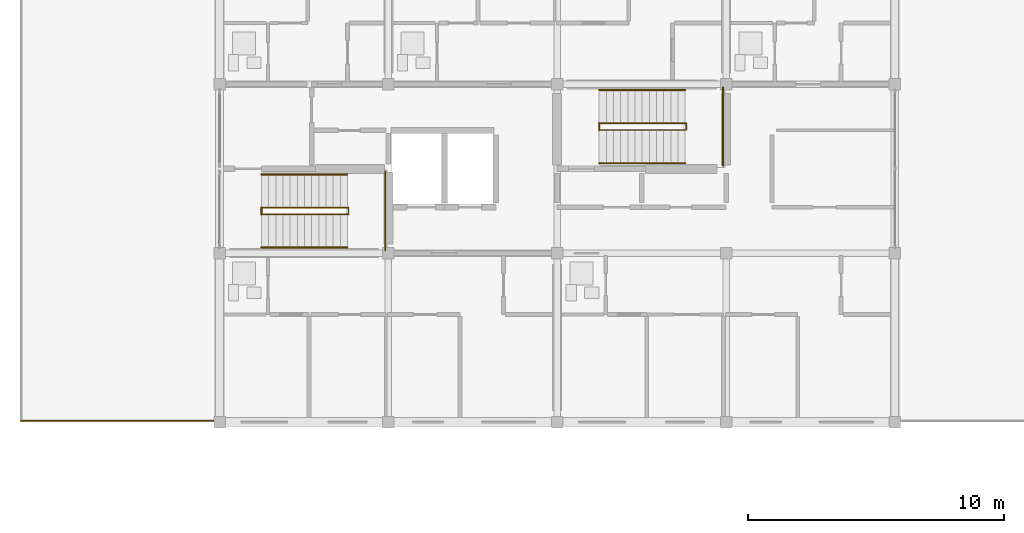
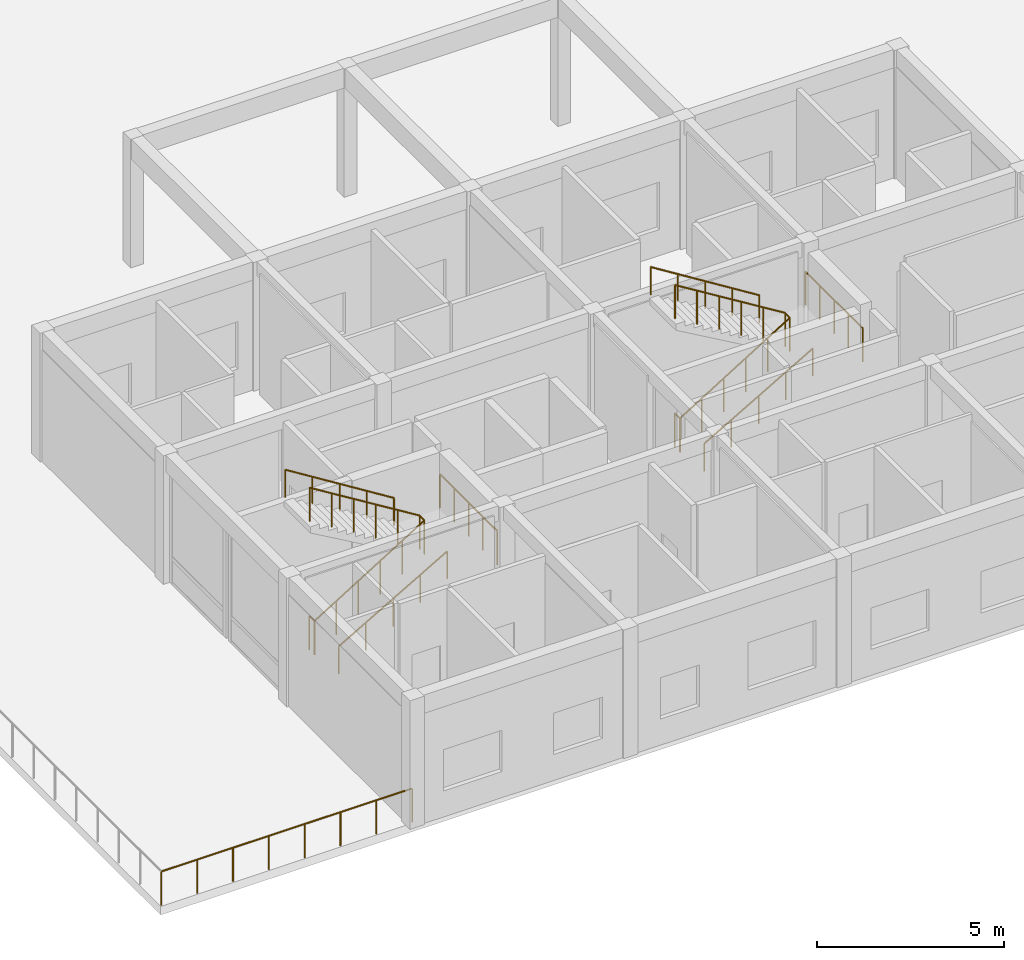
# One storey, part 81 of 92: 11 railings.
"""IFC4 building model written with IfcOpenShell, lengths in metres."""

import ifcopenshell
import ifcopenshell.guid

model = None  # the IFC model being written
_history = None  # IfcOwnerHistory: only IFC2X3 demands one
_inside = {}  # id of a spatial element -> (the spatial element, [elements in it])
_under = {}  # id of a project, library or spatial element -> (it, [spatial elements below it])
_declared = {}  # id of a project -> (the project, [libraries it declares])
_typed = {}  # id of a type object -> (the type object, [elements of that type])
_made_of = {}  # id of a material, layer set ... -> (it, [elements and type objects made of it])


def new_model(schema):
    """Start an empty IFC model of exactly this schema.

    Asked for "IFC4X3", IfcOpenShell would pick the latest addendum, in which some entities
    have other attributes; the version numbers below select the first issue.
    IFC2X3 requires an IfcOwnerHistory on every rooted entity: one is made here for all.
    """
    global model, _history
    if schema == "IFC4X3":
        model = ifcopenshell.file(schema_version=(4, 3, 0, 0))
    else:
        model = ifcopenshell.file(schema=schema)
    _inside.clear()
    _under.clear()
    _declared.clear()
    _typed.clear()
    _made_of.clear()
    _history = None
    if model.schema == "IFC2X3":
        org = make("IfcOrganization", Name="unknown")
        user = make(
            "IfcPersonAndOrganization",
            ThePerson=make("IfcPerson", FamilyName="unknown"),
            TheOrganization=org,
        )
        app = make(
            "IfcApplication",
            ApplicationDeveloper=org,
            Version="unknown",
            ApplicationFullName="unknown",
            ApplicationIdentifier="unknown",
        )
        _history = make(
            "IfcOwnerHistory",
            OwningUser=user,
            OwningApplication=app,
            ChangeAction="ADDED",
            CreationDate=0,
        )
    return model


def make(cls, **values):
    """One entity of the class cls with the attributes given. An attribute that is None is left unset."""
    return model.create_entity(
        cls, **{name: value for name, value in values.items() if value is not None}
    )


def rooted(cls, **values):
    """An entity with a GlobalId (a new one), such as an element, a storey or a relation."""
    return make(cls, GlobalId=ifcopenshell.guid.new(), OwnerHistory=_history, **values)


def si_unit(unit_type, name, prefix=None):
    """IfcSIUnit, for example si_unit("LENGTHUNIT", "METRE", prefix="MILLI")."""
    return make("IfcSIUnit", UnitType=unit_type, Prefix=prefix, Name=name)


def assignment(units):
    """IfcUnitAssignment: the units of a project."""
    return None if units is None else make("IfcUnitAssignment", Units=units)


def point(xyz):
    """IfcCartesianPoint."""
    return None if xyz is None else make("IfcCartesianPoint", Coordinates=xyz)


def direction(xyz):
    """IfcDirection."""
    return None if xyz is None else make("IfcDirection", DirectionRatios=xyz)


def frame(location, z_axis=None, x_axis=None):
    """IfcAxis2Placement3D, a coordinate frame: its origin and axes. An axis left out is left unset."""
    return make(
        "IfcAxis2Placement3D",
        Location=point(location),
        Axis=direction(z_axis),
        RefDirection=direction(x_axis),
    )


def frame_2d(location, x_axis=None):
    """IfcAxis2Placement2D, a coordinate frame in the plane: its origin and x axis."""
    return make(
        "IfcAxis2Placement2D", Location=point(location), RefDirection=direction(x_axis)
    )


def origin():
    """The frame at (0, 0, 0) with its axes left unset."""
    return frame((0.0, 0.0, 0.0))


def origin_2d():
    """The frame at (0, 0) in the plane with its x axis left unset."""
    return frame_2d((0.0, 0.0))


def place(relative_to, where):
    """IfcLocalPlacement: puts the frame where relative to a parent placement (None: the world)."""
    return make(
        "IfcLocalPlacement", PlacementRelTo=relative_to, RelativePlacement=where
    )


def context(
    kind, dimensions, precision=None, world=None, true_north=None, identifier=None
):
    """IfcGeometricRepresentationContext, for example the 3D "Model" context."""
    return make(
        "IfcGeometricRepresentationContext",
        ContextIdentifier=identifier,
        ContextType=kind,
        CoordinateSpaceDimension=dimensions,
        Precision=precision,
        WorldCoordinateSystem=world,
        TrueNorth=true_north,
    )


def subcontext(parent, identifier, kind, view, scale=None):
    """IfcGeometricRepresentationSubContext, for example "Body" below "Model"."""
    return make(
        "IfcGeometricRepresentationSubContext",
        ContextIdentifier=identifier,
        ContextType=kind,
        ParentContext=parent,
        TargetScale=scale,
        TargetView=view,
    )


def project(units=None, contexts=None):
    """IfcProject with its units and contexts."""
    return rooted(
        "IfcProject",
        Name="project",
        RepresentationContexts=contexts,
        UnitsInContext=assignment(units),
    )


def spatial(cls, under=None, at=None, **own):
    """A site, building, storey or space (cls), placed at a placement, below another one or the project."""
    s = rooted(cls, ObjectPlacement=at, **own)
    if under is not None:
        _under.setdefault(under.id(), (under, []))[1].append(s)
    return s


def profile(cls, at=None, kind="AREA", **sizes):
    """A parametric profile (cls). Its sizes go by their IFC names, for example OverallWidth=200.0."""
    return make(cls, ProfileType=kind, Position=at, **sizes)


def circle(**sizes):
    """IfcCircleProfileDef."""
    return profile("IfcCircleProfileDef", **sizes)


def extrude(swept, where, along, depth):
    """IfcExtrudedAreaSolid: the profile swept, set in the frame where, extruded along a direction by depth."""
    return make(
        "IfcExtrudedAreaSolid",
        SweptArea=swept,
        Position=where,
        ExtrudedDirection=direction(along),
        Depth=depth,
    )


def shape(context_of_items, identifier, shape_type, items):
    """IfcShapeRepresentation: the items that make up one representation, for example the "Body"."""
    return make(
        "IfcShapeRepresentation",
        ContextOfItems=context_of_items,
        RepresentationIdentifier=identifier,
        RepresentationType=shape_type,
        Items=items,
    )


def material(Name=None, Category=None):
    """IfcMaterial."""
    return make("IfcMaterial", Name=Name, Category=Category)


def made_of(thing, what):
    """Note that an element or type object is made of a material, layer set ...; save() writes the relation."""
    if what is not None:
        _made_of.setdefault(what.id(), (what, []))[1].append(thing)
    return thing


def type_object(cls, material=None, **own):
    """A type object (cls), such as IfcWallType, which elements share."""
    return made_of(rooted(cls, **own), material)


def element(
    cls,
    number,
    at=None,
    inside=None,
    cuts=None,
    type_object=None,
    material=None,
    context=None,
    identifier="Body",
    shape_type=None,
    held_by="IfcProductDefinitionShape",
    body=None,
    shapes=None,
    **own,
):
    """One element of the class cls, such as IfcWall. Its Tag is "e" and its number.

    at: its placement. inside: the storey or other place that contains it. cuts: it is an
    opening in that element (IfcRelVoidsElement). A single representation is given by context,
    identifier, shape_type and body (its items); several are given by shapes. held_by: the class
    of the entity that holds the representations. save() writes the other relations.
    """
    e = rooted(cls, Tag="e%d" % number, ObjectPlacement=at, **own)
    if body is not None:
        shapes = [shape(context, identifier, shape_type, body)]
    if shapes is not None:
        e.Representation = make(held_by, Representations=shapes)
    if inside is not None:
        _inside.setdefault(inside.id(), (inside, []))[1].append(e)
    if cuts is not None:
        rooted(
            "IfcRelVoidsElement", RelatingBuildingElement=cuts, RelatedOpeningElement=e
        )
    if type_object is not None:
        _typed.setdefault(type_object.id(), (type_object, []))[1].append(e)
    return made_of(e, material)


def aggregate(whole, parts):
    """IfcRelAggregates: a whole, such as a stair, and the parts it consists of."""
    return rooted("IfcRelAggregates", RelatingObject=whole, RelatedObjects=parts)


def save(model, path):
    """Write the relations noted so far, then the file.

    IfcRelAggregates (storeys below a building ...), IfcRelContainedInSpatialStructure (elements
    in a storey), IfcRelDefinesByType, IfcRelAssociatesMaterial and IfcRelDeclares: one each for
    every whole, place, type object, material and project.
    """
    for whole, parts in _under.values():
        aggregate(whole, parts)
    for where, things in _inside.values():
        rooted(
            "IfcRelContainedInSpatialStructure",
            RelatedElements=things,
            RelatingStructure=where,
        )
    for kind, things in _typed.values():
        rooted("IfcRelDefinesByType", RelatedObjects=things, RelatingType=kind)
    for what, things in _made_of.values():
        rooted("IfcRelAssociatesMaterial", RelatedObjects=things, RelatingMaterial=what)
    for by, libraries in _declared.values():
        rooted("IfcRelDeclares", RelatingContext=by, RelatedDefinitions=libraries)
    model.write(path)


model = new_model("IFC4")

# Units and contexts
model_context = context("Model", 3, precision=1e-05, world=origin(), true_north=direction((0.0, 1.0)))
body_context = subcontext(model_context, "Body", "Model", "MODEL_VIEW")
ifc_project = project(units=[si_unit("LENGTHUNIT", "METRE"), si_unit("AREAUNIT", "SQUARE_METRE"), si_unit("VOLUMEUNIT", "CUBIC_METRE"), si_unit("PLANEANGLEUNIT", "RADIAN"), si_unit("MASSUNIT", "GRAM", prefix="KILO")], contexts=[model_context])

# Site, building, storey
site_placement = place(None, origin())
site = spatial("IfcSite", under=ifc_project, at=site_placement, CompositionType="ELEMENT")
building_placement = place(site_placement, origin())
building = spatial("IfcBuilding", under=site, at=building_placement, Name="Kernevlak Ridge Housing Community", CompositionType="ELEMENT")
storey_placement = place(building_placement, frame((0.0, 0.0, 4.199951171875)))
storey = spatial("IfcBuildingStorey", under=building, at=storey_placement, Name="L01", CompositionType="ELEMENT", Elevation=4.199951171875)

# Railings
ifc_material_1 = material(Name="Steel S355", Category="steel")
railing_type_1 = type_object("IfcRailingType", Name="GR-01", PredefinedType="GUARDRAIL", material=ifc_material_1)
railing_1_placement = place(storey_placement, frame((7.85009765625, 15.64990234375, 0.0)))
element("IfcRailing", 1, at=railing_1_placement, inside=storey, type_object=railing_type_1, Name="L01 civic plaza perimeter guard GR-01 59", PredefinedType="GUARDRAIL", context=body_context, shape_type="SweptSolid", body=[
    extrude(circle(Radius=0.02392578125, at=origin_2d()), frame((0.0, 0.0, 1.09619140625), z_axis=(1.0, 0.0, 0.0), x_axis=(0.0, 1.0, 0.0)), (0.0, 0.0, 1.0), 7.75),
    extrude(circle(Radius=0.02099609375, at=origin_2d()), origin(), (0.0, 0.0, 1.0), 1.072021484375),
    extrude(circle(Radius=0.02099609375, at=origin_2d()), frame((1.107177734375, 0.0, 0.0)), (0.0, 0.0, 1.0), 1.072021484375),
    extrude(circle(Radius=0.02099609375, at=origin_2d()), frame((2.21435546875, 0.0, 0.0)), (0.0, 0.0, 1.0), 1.072021484375),
    extrude(circle(Radius=0.02099609375, at=origin_2d()), frame((3.321533203125, 0.0, 0.0)), (0.0, 0.0, 1.0), 1.072021484375),
    extrude(circle(Radius=0.02099609375, at=origin_2d()), frame((4.428466796875, 0.0, 0.0)), (0.0, 0.0, 1.0), 1.072021484375),
    extrude(circle(Radius=0.02099609375, at=origin_2d()), frame((5.53564453125, 0.0, 0.0)), (0.0, 0.0, 1.0), 1.072021484375),
    extrude(circle(Radius=0.02099609375, at=origin_2d()), frame((6.642822265625, 0.0, 0.0)), (0.0, 0.0, 1.0), 1.072021484375),
    extrude(circle(Radius=0.02099609375, at=origin_2d()), frame((7.75, 0.0, 0.0)), (0.0, 0.0, 1.0), 1.072021484375),
])
railing_type_2 = type_object("IfcRailingType", Name="GR-02", PredefinedType="GUARDRAIL", material=ifc_material_1)
railing_2_placement = place(storey_placement, frame((17.239990234375, 23.7099609375, 0.0)))
element("IfcRailing", 2, at=railing_2_placement, inside=storey, type_object=railing_type_2, Name="Stair ST-D1 L01 well slot guard", PredefinedType="GUARDRAIL", context=body_context, shape_type="SweptSolid", body=[
    extrude(circle(Radius=0.02392578125, at=origin_2d()), frame((0.0, 0.0, 1.09619140625), z_axis=(0.0, 1.0, 0.0), x_axis=(-1.0, 0.0, 0.0)), (0.0, 0.0, 1.0), 0.280029296875),
    extrude(circle(Radius=0.02099609375, at=origin_2d()), origin(), (0.0, 0.0, 1.0), 1.072021484375),
    extrude(circle(Radius=0.02099609375, at=origin_2d()), frame((0.0, 0.280029296875, 0.0)), (0.0, 0.0, 1.0), 1.072021484375),
])
railing_3_placement = place(storey_placement, frame((17.239990234375, 23.719970703125, 0.0)))
element("IfcRailing", 3, at=railing_3_placement, inside=storey, type_object=railing_type_2, Name="Stair ST-D1 L01 inner well guardrail", PredefinedType="GUARDRAIL", context=body_context, shape_type="SweptSolid", body=[
    extrude(circle(Radius=0.02392578125, at=origin_2d()), frame((0.0, 0.0, 1.09619140625), z_axis=(0.850780323153, 0.0, 0.525521495028), x_axis=(0.0, 1.0, 0.0)), (0.0, 0.0, 1.0), 3.996337890625),
    extrude(circle(Radius=0.02392578125, at=origin_2d()), frame((3.39990234375, 0.0, 3.1962890625), z_axis=(0.0, 1.0, 0.0), x_axis=(-1.0, 0.0, 0.0)), (0.0, 0.0, 1.0), 0.260009765625),
    extrude(circle(Radius=0.02392578125, at=origin_2d()), frame((3.39990234375, 0.260009765625, 3.1962890625), z_axis=(-0.85080763774, 0.0, 0.525477272167), x_axis=(0.0, -1.0, 0.0)), (0.0, 0.0, 1.0), 3.99609375),
    extrude(circle(Radius=0.02099609375, at=origin_2d()), origin(), (0.0, 0.0, 1.0), 1.072021484375),
    extrude(circle(Radius=0.02099609375, at=origin_2d()), frame((0.679931640625, 0.0, 0.419921875)), (0.0, 0.0, 1.0), 1.072021484375),
    extrude(circle(Radius=0.02099609375, at=origin_2d()), frame((1.35986328125, 0.0, 0.840087890625)), (0.0, 0.0, 1.0), 1.072021484375),
    extrude(circle(Radius=0.02099609375, at=origin_2d()), frame((2.0400390625, 0.0, 1.260009765625)), (0.0, 0.0, 1.0), 1.072021484375),
    extrude(circle(Radius=0.02099609375, at=origin_2d()), frame((2.719970703125, 0.0, 1.68017578125)), (0.0, 0.0, 1.0), 1.072021484375),
    extrude(circle(Radius=0.02099609375, at=origin_2d()), frame((3.39990234375, 0.0, 2.10009765625)), (0.0, 0.0, 1.0), 1.072021484375),
    extrude(circle(Radius=0.02099609375, at=origin_2d()), frame((3.39990234375, 0.260009765625, 2.10009765625)), (0.0, 0.0, 1.0), 1.072021484375),
    extrude(circle(Radius=0.02099609375, at=origin_2d()), frame((2.719970703125, 0.260009765625, 2.52001953125)), (0.0, 0.0, 1.0), 1.072021484375),
    extrude(circle(Radius=0.02099609375, at=origin_2d()), frame((2.0400390625, 0.260009765625, 2.93994140625)), (0.0, 0.0, 1.0), 1.072021484375),
    extrude(circle(Radius=0.02099609375, at=origin_2d()), frame((1.35986328125, 0.260009765625, 3.360107421875)), (0.0, 0.0, 1.0), 1.072021484375),
    extrude(circle(Radius=0.02099609375, at=origin_2d()), frame((0.679931640625, 0.260009765625, 3.780029296875)), (0.0, 0.0, 1.0), 1.072021484375),
    extrude(circle(Radius=0.02099609375, at=origin_2d()), frame((0.0, 0.260009765625, 4.199951171875)), (0.0, 0.0, 1.0), 1.072021484375),
])
railing_4_placement = place(storey_placement, frame((22.080078125, 22.320068359375, 2.10009765625)))
element("IfcRailing", 4, at=railing_4_placement, inside=storey, type_object=railing_type_2, Name="Stair ST-D1 L01 half-landing guard", PredefinedType="GUARDRAIL", context=body_context, shape_type="SweptSolid", body=[
    extrude(circle(Radius=0.02392578125, at=origin_2d()), frame((0.0, 0.0, 1.09619140625), z_axis=(0.0, 1.0, 0.0), x_axis=(-1.0, 0.0, 0.0)), (0.0, 0.0, 1.0), 3.059814453125),
    extrude(circle(Radius=0.02099609375, at=origin_2d()), origin(), (0.0, 0.0, 1.0), 1.072021484375),
    extrude(circle(Radius=0.02099609375, at=origin_2d()), frame((0.0, 0.764892578125, 0.0)), (0.0, 0.0, 1.0), 1.072021484375),
    extrude(circle(Radius=0.02099609375, at=origin_2d()), frame((0.0, 1.52978515625, 0.0)), (0.0, 0.0, 1.0), 1.072021484375),
    extrude(circle(Radius=0.02099609375, at=origin_2d()), frame((0.0, 2.294921875, 0.0)), (0.0, 0.0, 1.0), 1.072021484375),
    extrude(circle(Radius=0.02099609375, at=origin_2d()), frame((0.0, 3.059814453125, 0.0)), (0.0, 0.0, 1.0), 1.072021484375),
])
railing_5_placement = place(storey_placement, frame((30.43994140625, 27.010009765625, 0.0)))
element("IfcRailing", 5, at=railing_5_placement, inside=storey, type_object=railing_type_2, Name="Stair ST-D2 L01 well slot guard", PredefinedType="GUARDRAIL", context=body_context, shape_type="SweptSolid", body=[
    extrude(circle(Radius=0.02392578125, at=origin_2d()), frame((0.0, 0.0, 1.09619140625), z_axis=(0.0, 1.0, 0.0), x_axis=(-1.0, 0.0, 0.0)), (0.0, 0.0, 1.0), 0.280029296875),
    extrude(circle(Radius=0.02099609375, at=origin_2d()), origin(), (0.0, 0.0, 1.0), 1.072021484375),
    extrude(circle(Radius=0.02099609375, at=origin_2d()), frame((0.0, 0.280029296875, 0.0)), (0.0, 0.0, 1.0), 1.072021484375),
])
railing_6_placement = place(storey_placement, frame((30.43994140625, 27.02001953125, 0.0)))
element("IfcRailing", 6, at=railing_6_placement, inside=storey, type_object=railing_type_2, Name="Stair ST-D2 L01 inner well guardrail", PredefinedType="GUARDRAIL", context=body_context, shape_type="SweptSolid", body=[
    extrude(circle(Radius=0.02392578125, at=origin_2d()), frame((0.0, 0.0, 1.09619140625), z_axis=(0.850797194049, 0.0, 0.525494181317), x_axis=(0.0, 1.0, 0.0)), (0.0, 0.0, 1.0), 3.996337890625),
    extrude(circle(Radius=0.02392578125, at=origin_2d()), frame((3.400146484375, 0.0, 3.1962890625), z_axis=(0.0, 1.0, 0.0), x_axis=(-1.0, 0.0, 0.0)), (0.0, 0.0, 1.0), 0.260009765625),
    extrude(circle(Radius=0.02392578125, at=origin_2d()), frame((3.400146484375, 0.260009765625, 3.1962890625), z_axis=(-0.850824506338, 0.0, 0.525449959001), x_axis=(0.0, -1.0, 0.0)), (0.0, 0.0, 1.0), 3.996337890625),
    extrude(circle(Radius=0.02099609375, at=origin_2d()), origin(), (0.0, 0.0, 1.0), 1.072021484375),
    extrude(circle(Radius=0.02099609375, at=origin_2d()), frame((0.679931640625, 0.0, 0.419921875)), (0.0, 0.0, 1.0), 1.072021484375),
    extrude(circle(Radius=0.02099609375, at=origin_2d()), frame((1.360107421875, 0.0, 0.840087890625)), (0.0, 0.0, 1.0), 1.072021484375),
    extrude(circle(Radius=0.02099609375, at=origin_2d()), frame((2.0400390625, 0.0, 1.260009765625)), (0.0, 0.0, 1.0), 1.072021484375),
    extrude(circle(Radius=0.02099609375, at=origin_2d()), frame((2.72021484375, 0.0, 1.68017578125)), (0.0, 0.0, 1.0), 1.072021484375),
    extrude(circle(Radius=0.02099609375, at=origin_2d()), frame((3.400146484375, 0.0, 2.10009765625)), (0.0, 0.0, 1.0), 1.072021484375),
    extrude(circle(Radius=0.02099609375, at=origin_2d()), frame((3.400146484375, 0.260009765625, 2.10009765625)), (0.0, 0.0, 1.0), 1.072021484375),
    extrude(circle(Radius=0.02099609375, at=origin_2d()), frame((2.72021484375, 0.260009765625, 2.52001953125)), (0.0, 0.0, 1.0), 1.072021484375),
    extrude(circle(Radius=0.02099609375, at=origin_2d()), frame((2.0400390625, 0.260009765625, 2.93994140625)), (0.0, 0.0, 1.0), 1.072021484375),
    extrude(circle(Radius=0.02099609375, at=origin_2d()), frame((1.360107421875, 0.260009765625, 3.360107421875)), (0.0, 0.0, 1.0), 1.072021484375),
    extrude(circle(Radius=0.02099609375, at=origin_2d()), frame((0.679931640625, 0.260009765625, 3.780029296875)), (0.0, 0.0, 1.0), 1.072021484375),
    extrude(circle(Radius=0.02099609375, at=origin_2d()), frame((0.0, 0.260009765625, 4.199951171875)), (0.0, 0.0, 1.0), 1.072021484375),
])
railing_7_placement = place(storey_placement, frame((35.280029296875, 25.6201171875, 2.10009765625)))
element("IfcRailing", 7, at=railing_7_placement, inside=storey, type_object=railing_type_2, Name="Stair ST-D2 L01 half-landing guard", PredefinedType="GUARDRAIL", context=body_context, shape_type="SweptSolid", body=[
    extrude(circle(Radius=0.02392578125, at=origin_2d()), frame((0.0, 0.0, 1.09619140625), z_axis=(0.0, 1.0, 0.0), x_axis=(-1.0, 0.0, 0.0)), (0.0, 0.0, 1.0), 3.059814453125),
    extrude(circle(Radius=0.02099609375, at=origin_2d()), origin(), (0.0, 0.0, 1.0), 1.072021484375),
    extrude(circle(Radius=0.02099609375, at=origin_2d()), frame((0.0, 0.764892578125, 0.0)), (0.0, 0.0, 1.0), 1.072021484375),
    extrude(circle(Radius=0.02099609375, at=origin_2d()), frame((0.0, 1.52978515625, 0.0)), (0.0, 0.0, 1.0), 1.072021484375),
    extrude(circle(Radius=0.02099609375, at=origin_2d()), frame((0.0, 2.294921875, 0.0)), (0.0, 0.0, 1.0), 1.072021484375),
    extrude(circle(Radius=0.02099609375, at=origin_2d()), frame((0.0, 3.059814453125, 0.0)), (0.0, 0.0, 1.0), 1.072021484375),
])
ifc_material_2 = material(Name="Stainless steel EN 1.4401", Category="steel")
railing_type_3 = type_object("IfcRailingType", Name="HR-01", PredefinedType="HANDRAIL", material=ifc_material_2)
railing_8_placement = place(storey_placement, frame((17.239990234375, 22.419921875, 0.16162109375)))
element("IfcRailing", 8, at=railing_8_placement, inside=storey, type_object=railing_type_3, Name="Stair ST-D1 L01 flight 1 handrail", PredefinedType="HANDRAIL", context=body_context, shape_type="SweptSolid", body=[
    extrude(circle(Radius=0.02392578125, at=origin_2d()), frame((0.0, 0.0, 0.89599609375), z_axis=(0.866190824863, 0.0, 0.499713372768), x_axis=(0.0, 1.0, 0.0)), (0.0, 0.0, 1.0), 3.879150390625),
    extrude(circle(Radius=0.02099609375, at=origin_2d()), origin(), (0.0, 0.0, 1.0), 0.871826171875),
    extrude(circle(Radius=0.02099609375, at=origin_2d()), frame((0.840087890625, 0.0, 0.484619140625)), (0.0, 0.0, 1.0), 0.871826171875),
    extrude(circle(Radius=0.02099609375, at=origin_2d()), frame((1.68017578125, 0.0, 0.96923828125)), (0.0, 0.0, 1.0), 0.871826171875),
    extrude(circle(Radius=0.02099609375, at=origin_2d()), frame((2.52001953125, 0.0, 1.453857421875)), (0.0, 0.0, 1.0), 0.871826171875),
    extrude(circle(Radius=0.02099609375, at=origin_2d()), frame((3.360107421875, 0.0, 1.9384765625)), (0.0, 0.0, 1.0), 0.871826171875),
])
railing_9_placement = place(storey_placement, frame((20.60009765625, 25.280029296875, 2.10009765625)))
element("IfcRailing", 9, at=railing_9_placement, inside=storey, type_object=railing_type_3, Name="Stair ST-D1 L01 flight 2 handrail", PredefinedType="HANDRAIL", context=body_context, shape_type="SweptSolid", body=[
    extrude(circle(Radius=0.02392578125, at=origin_2d()), frame((0.0, 0.0, 0.89599609375), z_axis=(-0.848022534174, 0.0, 0.529960169762), x_axis=(0.0, -1.0, 0.0)), (0.0, 0.0, 1.0), 3.96240234375),
    extrude(circle(Radius=0.02099609375, at=origin_2d()), origin(), (0.0, 0.0, 1.0), 0.871826171875),
    extrude(circle(Radius=0.02099609375, at=origin_2d()), frame((-0.840087890625, 0.0, 0.52490234375)), (0.0, 0.0, 1.0), 0.871826171875),
    extrude(circle(Radius=0.02099609375, at=origin_2d()), frame((-1.68017578125, 0.0, 1.0498046875)), (0.0, 0.0, 1.0), 0.871826171875),
    extrude(circle(Radius=0.02099609375, at=origin_2d()), frame((-2.52001953125, 0.0, 1.574951171875)), (0.0, 0.0, 1.0), 0.871826171875),
    extrude(circle(Radius=0.02099609375, at=origin_2d()), frame((-3.360107421875, 0.0, 2.099853515625)), (0.0, 0.0, 1.0), 0.871826171875),
])
railing_10_placement = place(storey_placement, frame((30.43994140625, 25.719970703125, 0.16162109375)))
element("IfcRailing", 10, at=railing_10_placement, inside=storey, type_object=railing_type_3, Name="Stair ST-D2 L01 flight 1 handrail", PredefinedType="HANDRAIL", context=body_context, shape_type="SweptSolid", body=[
    extrude(circle(Radius=0.02392578125, at=origin_2d()), frame((0.0, 0.0, 0.89599609375), z_axis=(0.866190824863, 0.0, 0.499713372768), x_axis=(0.0, 1.0, 0.0)), (0.0, 0.0, 1.0), 3.879150390625),
    extrude(circle(Radius=0.02099609375, at=origin_2d()), origin(), (0.0, 0.0, 1.0), 0.871826171875),
    extrude(circle(Radius=0.02099609375, at=origin_2d()), frame((0.840087890625, 0.0, 0.484619140625)), (0.0, 0.0, 1.0), 0.871826171875),
    extrude(circle(Radius=0.02099609375, at=origin_2d()), frame((1.68017578125, 0.0, 0.96923828125)), (0.0, 0.0, 1.0), 0.871826171875),
    extrude(circle(Radius=0.02099609375, at=origin_2d()), frame((2.52001953125, 0.0, 1.453857421875)), (0.0, 0.0, 1.0), 0.871826171875),
    extrude(circle(Radius=0.02099609375, at=origin_2d()), frame((3.360107421875, 0.0, 1.9384765625)), (0.0, 0.0, 1.0), 0.871826171875),
])
railing_11_placement = place(storey_placement, frame((33.800048828125, 28.580078125, 2.10009765625)))
element("IfcRailing", 11, at=railing_11_placement, inside=storey, type_object=railing_type_3, Name="Stair ST-D2 L01 flight 2 handrail", PredefinedType="HANDRAIL", context=body_context, shape_type="SweptSolid", body=[
    extrude(circle(Radius=0.02392578125, at=origin_2d()), frame((0.0, 0.0, 0.89599609375), z_axis=(-0.848022534174, 0.0, 0.529960169762), x_axis=(0.0, -1.0, 0.0)), (0.0, 0.0, 1.0), 3.96240234375),
    extrude(circle(Radius=0.02099609375, at=origin_2d()), origin(), (0.0, 0.0, 1.0), 0.871826171875),
    extrude(circle(Radius=0.02099609375, at=origin_2d()), frame((-0.840087890625, 0.0, 0.52490234375)), (0.0, 0.0, 1.0), 0.871826171875),
    extrude(circle(Radius=0.02099609375, at=origin_2d()), frame((-1.68017578125, 0.0, 1.0498046875)), (0.0, 0.0, 1.0), 0.871826171875),
    extrude(circle(Radius=0.02099609375, at=origin_2d()), frame((-2.52001953125, 0.0, 1.574951171875)), (0.0, 0.0, 1.0), 0.871826171875),
    extrude(circle(Radius=0.02099609375, at=origin_2d()), frame((-3.360107421875, 0.0, 2.099853515625)), (0.0, 0.0, 1.0), 0.871826171875),
])

save(model, "model.ifc")
